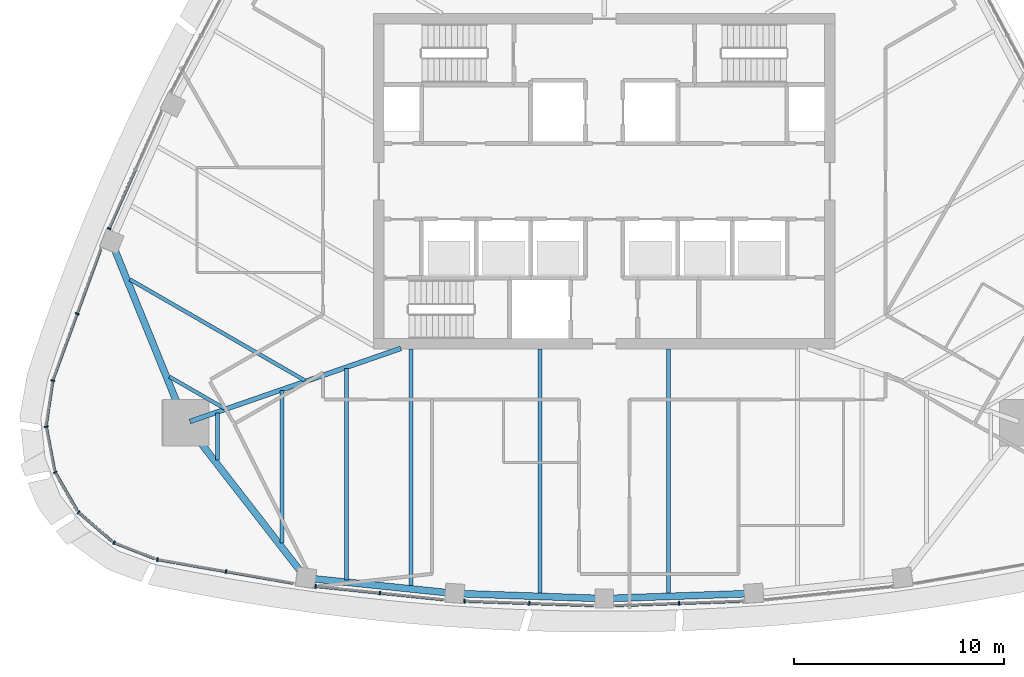
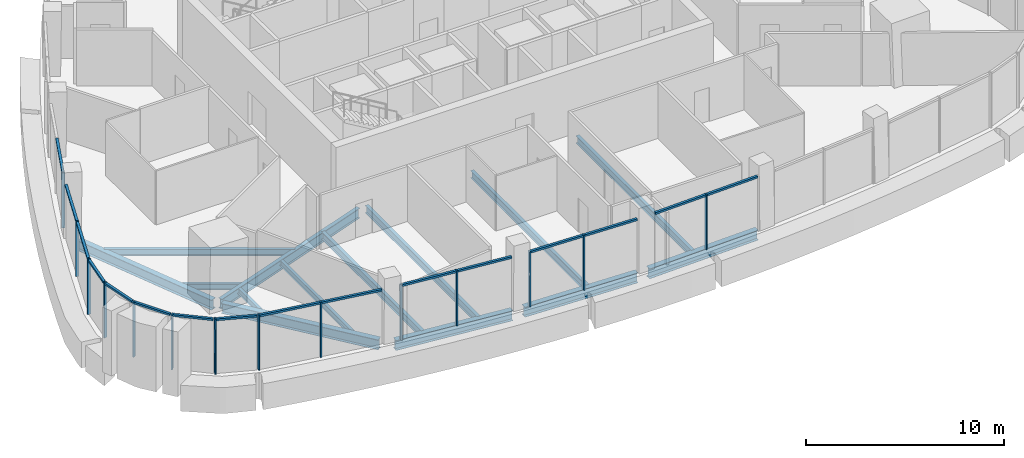
# One storey, part 2 of 15: 30 members, 14 beams, 11 elements without a shape of their own.
"""IFC4 building model written with IfcOpenShell, lengths in metres."""

from ifc_helpers import new_model, si_unit, direction, frame, origin, origin_2d, place, context, subcontext, project, spatial, rectangle, i_section, extrude, material, layer, layer_set, material_profile, profile_set, type_object, element, aggregate, save


model = new_model("IFC4")

# Units and contexts
model_context = context("Model", 3, precision=1e-05, world=origin(), true_north=direction((0.0, 1.0)))
body_context = subcontext(model_context, "Body", "Model", "MODEL_VIEW")
ifc_project = project(units=[si_unit("LENGTHUNIT", "METRE"), si_unit("AREAUNIT", "SQUARE_METRE"), si_unit("VOLUMEUNIT", "CUBIC_METRE"), si_unit("PLANEANGLEUNIT", "RADIAN"), si_unit("MASSUNIT", "GRAM", prefix="KILO")], contexts=[model_context])

# Site, building, storey
site_placement = place(None, origin())
site = spatial("IfcSite", under=ifc_project, at=site_placement, CompositionType="ELEMENT")
building_placement = place(site_placement, origin())
building = spatial("IfcBuilding", under=site, at=building_placement, Name="Sierra Prisma Convention Tower", CompositionType="ELEMENT")
storey_placement = place(building_placement, frame((0.0, 0.0, 315.0)))
storey = spatial("IfcBuildingStorey", under=building, at=storey_placement, Name="L72", CompositionType="ELEMENT", Elevation=315.0)

# Curtain wall, members
ifc_material_1 = material(Name="Aluminium and glass curtain wall", Category="aluminium")
ifc_layer = layer(ifc_material_1, 0.179931640625)
ifc_layer_set = layer_set([ifc_layer], Name="CW-1 Plain shaft curtain wall")
curtain_wall_type = type_object("IfcCurtainWallType", Name="CW-1 Plain shaft curtain wall", PredefinedType="NOTDEFINED", material=ifc_layer_set)
curtain_wall_1_placement = place(storey_placement, origin())
curtain_wall_1 = element("IfcCurtainWall", 1, at=curtain_wall_1_placement, inside=storey, type_object=curtain_wall_type, Name="CW-1 S1 L72", PredefinedType="NOTDEFINED")
ifc_material_2 = material(Name="Aluminium 6063-T6 bronze anodised", Category="aluminium")
ifc_material_profile_1 = material_profile(ifc_material_2, rectangle(XDim=0.179931640625, YDim=0.070068359375, at=origin_2d()), Name="ALU MULLION 70x180")
ifc_profile_set_1 = profile_set([ifc_material_profile_1], Name="Aluminium 6063-T6 bronze anodised")
member_type_1 = type_object("IfcMemberType", Name="CW mullion bronze", PredefinedType="MULLION", material=ifc_profile_set_1)
member_1_placement = place(storey_placement, frame((-21.287353515625, -18.021728515625, 0.0), z_axis=(0.0, 0.0, 1.0), x_axis=(0.171831732349, 0.985126314621, 0.0)))
member_1 = element("IfcMember", 2, at=member_1_placement, type_object=member_type_1, Name="CW-1 mullion S1.1", PredefinedType="MULLION", context=body_context, shape_type="SweptSolid", body=[
    extrude(rectangle(XDim=0.179931640625, YDim=0.070068359375, at=origin_2d()), origin(), (0.0, 0.0, 1.0), 3.39990234375),
])
member_2_placement = place(storey_placement, frame((-18.018310546875, -18.592041015625, 0.0), z_axis=(0.0, 0.0, 1.0), x_axis=(0.171831732349, 0.985126314621, 0.0)))
member_2 = element("IfcMember", 3, at=member_2_placement, type_object=member_type_1, Name="CW-1 mullion S1.2", PredefinedType="MULLION", context=body_context, shape_type="SweptSolid", body=[
    extrude(rectangle(XDim=0.179931640625, YDim=0.070068359375, at=origin_2d()), origin(), (0.0, 0.0, 1.0), 3.39990234375),
])

curtain_wall_2_placement = place(storey_placement, origin())
curtain_wall_2 = element("IfcCurtainWall", 4, at=curtain_wall_2_placement, inside=storey, type_object=curtain_wall_type, Name="CW-1 S2 L72", PredefinedType="NOTDEFINED")
member_3_placement = place(storey_placement, frame((-13.74560546875, -19.300048828125, 0.0), z_axis=(0.0, 0.0, 1.0), x_axis=(0.103427960158, 0.994636947362, 0.0)))
member_3 = element("IfcMember", 5, at=member_3_placement, type_object=member_type_1, Name="CW-1 mullion S2.1", PredefinedType="MULLION", context=body_context, shape_type="SweptSolid", body=[
    extrude(rectangle(XDim=0.179931640625, YDim=0.070068359375, at=origin_2d()), origin(), (0.0, 0.0, 1.0), 3.39990234375),
])
member_4_placement = place(storey_placement, frame((-10.6904296875, -19.617919921875, 0.0), z_axis=(0.0, 0.0, 1.0), x_axis=(0.103427960158, 0.994636947362, 0.0)))
member_4 = element("IfcMember", 6, at=member_4_placement, type_object=member_type_1, Name="CW-1 mullion S2.2", PredefinedType="MULLION", context=body_context, shape_type="SweptSolid", body=[
    extrude(rectangle(XDim=0.179931640625, YDim=0.070068359375, at=origin_2d()), origin(), (0.0, 0.0, 1.0), 3.39990234375),
])

curtain_wall_3_placement = place(storey_placement, origin())
curtain_wall_3 = element("IfcCurtainWall", 7, at=curtain_wall_3_placement, inside=storey, type_object=curtain_wall_type, Name="CW-1 S3 L72", PredefinedType="NOTDEFINED")
member_5_placement = place(storey_placement, frame((-6.656005859375, -20.0029296875, 0.0), z_axis=(0.0, 0.0, 1.0), x_axis=(0.034530885396, 0.999403631149, 0.0)))
member_5 = element("IfcMember", 8, at=member_5_placement, type_object=member_type_1, Name="CW-1 mullion S3.1", PredefinedType="MULLION", context=body_context, shape_type="SweptSolid", body=[
    extrude(rectangle(XDim=0.179931640625, YDim=0.070068359375, at=origin_2d()), origin(), (0.0, 0.0, 1.0), 3.39990234375),
])
member_6_placement = place(storey_placement, frame((-3.5703125, -20.109375, 0.0), z_axis=(0.0, 0.0, 1.0), x_axis=(0.034530885396, 0.999403631149, 0.0)))
member_6 = element("IfcMember", 9, at=member_6_placement, type_object=member_type_1, Name="CW-1 mullion S3.2", PredefinedType="MULLION", context=body_context, shape_type="SweptSolid", body=[
    extrude(rectangle(XDim=0.179931640625, YDim=0.070068359375, at=origin_2d()), origin(), (0.0, 0.0, 1.0), 3.39990234375),
])

# Curtain wall, member
curtain_wall_4_placement = place(storey_placement, origin())
curtain_wall_4 = element("IfcCurtainWall", 10, at=curtain_wall_4_placement, inside=storey, type_object=curtain_wall_type, Name="CW-1 S4 L72", PredefinedType="NOTDEFINED")
member_7_placement = place(storey_placement, frame((3.5703125, -20.109375, 0.0), z_axis=(0.0, 0.0, 1.0), x_axis=(-0.034530885396, 0.999403631149, 0.0)))
member_7 = element("IfcMember", 11, at=member_7_placement, type_object=member_type_1, Name="CW-1 mullion S4.2", PredefinedType="MULLION", context=body_context, shape_type="SweptSolid", body=[
    extrude(rectangle(XDim=0.179931640625, YDim=0.070068359375, at=origin_2d()), origin(), (0.0, 0.0, 1.0), 3.39990234375),
])

curtain_wall_5_placement = place(storey_placement, origin())
curtain_wall_5 = element("IfcCurtainWall", 12, at=curtain_wall_5_placement, inside=storey, type_object=curtain_wall_type, Name="CW-1 NW5 L72", PredefinedType="NOTDEFINED")
member_8_placement = place(storey_placement, frame((-23.587158203125, -2.25390625, 0.0), z_axis=(0.0, 0.0, 1.0), x_axis=(0.913094844037, -0.407747232722, 0.0)))
member_8 = element("IfcMember", 13, at=member_8_placement, type_object=member_type_1, Name="CW-1 mullion NW5.3", PredefinedType="MULLION", context=body_context, shape_type="SweptSolid", body=[
    extrude(rectangle(XDim=0.179931640625, YDim=0.070068359375, at=origin_2d()), origin(), (0.0, 0.0, 1.0), 3.39990234375),
])

curtain_wall_6_placement = place(storey_placement, origin())
curtain_wall_6 = element("IfcCurtainWall", 14, at=curtain_wall_6_placement, inside=storey, type_object=curtain_wall_type, Name="CW-1 NW6 L72", PredefinedType="NOTDEFINED")
member_9_placement = place(storey_placement, frame((-25.110107421875, -6.308349609375, 0.0), z_axis=(0.0, 0.0, 1.0), x_axis=(0.939060280572, -0.34375251192, 0.0)))
member_9 = element("IfcMember", 15, at=member_9_placement, type_object=member_type_1, Name="CW-1 mullion NW6.2", PredefinedType="MULLION", context=body_context, shape_type="SweptSolid", body=[
    extrude(rectangle(XDim=0.179931640625, YDim=0.070068359375, at=origin_2d()), origin(), (0.0, 0.0, 1.0), 3.39990234375),
])

curtain_wall_7_placement = place(storey_placement, origin())
curtain_wall_7 = element("IfcCurtainWall", 16, at=curtain_wall_7_placement, inside=storey, type_object=curtain_wall_type, Name="CW-1 SW1 L72", PredefinedType="NOTDEFINED")
member_10_placement = place(storey_placement, frame((-26.26806640625, -9.491943359375, 0.0), z_axis=(0.0, 0.0, 1.0), x_axis=(0.989012157152, -0.147834207831, 0.0)))
member_10 = element("IfcMember", 17, at=member_10_placement, type_object=member_type_1, Name="CW-1 mullion SW1.1", PredefinedType="MULLION", context=body_context, shape_type="SweptSolid", body=[
    extrude(rectangle(XDim=0.179931640625, YDim=0.070068359375, at=origin_2d()), origin(), (0.0, 0.0, 1.0), 3.39990234375),
])

curtain_wall_8_placement = place(storey_placement, origin())
curtain_wall_8 = element("IfcCurtainWall", 18, at=curtain_wall_8_placement, inside=storey, type_object=curtain_wall_type, Name="CW-1 SW2 L72", PredefinedType="NOTDEFINED")
member_11_placement = place(storey_placement, frame((-26.58447265625, -11.6865234375, 0.0), z_axis=(0.0, 0.0, 1.0), x_axis=(0.982452735927, 0.186511719925, 0.0)))
member_11 = element("IfcMember", 19, at=member_11_placement, type_object=member_type_1, Name="CW-1 mullion SW2.1", PredefinedType="MULLION", context=body_context, shape_type="SweptSolid", body=[
    extrude(rectangle(XDim=0.179931640625, YDim=0.070068359375, at=origin_2d()), origin(), (0.0, 0.0, 1.0), 3.39990234375),
])

curtain_wall_9_placement = place(storey_placement, origin())
curtain_wall_9 = element("IfcCurtainWall", 20, at=curtain_wall_9_placement, inside=storey, type_object=curtain_wall_type, Name="CW-1 SW3 L72", PredefinedType="NOTDEFINED")
member_12_placement = place(storey_placement, frame((-26.15966796875, -13.862548828125, 0.0), z_axis=(0.0, 0.0, 1.0), x_axis=(0.866025403784, 0.5, 0.0)))
member_12 = element("IfcMember", 21, at=member_12_placement, type_object=member_type_1, Name="CW-1 mullion SW3.1", PredefinedType="MULLION", context=body_context, shape_type="SweptSolid", body=[
    extrude(rectangle(XDim=0.179931640625, YDim=0.070068359375, at=origin_2d()), origin(), (0.0, 0.0, 1.0), 3.39990234375),
])

curtain_wall_10_placement = place(storey_placement, origin())
curtain_wall_10 = element("IfcCurtainWall", 22, at=curtain_wall_10_placement, inside=storey, type_object=curtain_wall_type, Name="CW-1 SW4 L72", PredefinedType="NOTDEFINED")
member_13_placement = place(storey_placement, frame((-25.041015625, -15.77685546875, 0.0), z_axis=(0.0, 0.0, 1.0), x_axis=(0.652750255522, 0.757573167368, 0.0)))
member_13 = element("IfcMember", 23, at=member_13_placement, type_object=member_type_1, Name="CW-1 mullion SW4.1", PredefinedType="MULLION", context=body_context, shape_type="SweptSolid", body=[
    extrude(rectangle(XDim=0.179931640625, YDim=0.070068359375, at=origin_2d()), origin(), (0.0, 0.0, 1.0), 3.39990234375),
])

curtain_wall_11_placement = place(storey_placement, origin())
curtain_wall_11 = element("IfcCurtainWall", 24, at=curtain_wall_11_placement, inside=storey, type_object=curtain_wall_type, Name="CW-1 SW5 L72", PredefinedType="NOTDEFINED")
member_14_placement = place(storey_placement, frame((-23.35400390625, -17.21533203125, 0.0), z_axis=(0.0, 0.0, 1.0), x_axis=(0.366477899046, 0.930426756661, 0.0)))
member_14 = element("IfcMember", 25, at=member_14_placement, type_object=member_type_1, Name="CW-1 mullion SW5.1", PredefinedType="MULLION", context=body_context, shape_type="SweptSolid", body=[
    extrude(rectangle(XDim=0.179931640625, YDim=0.070068359375, at=origin_2d()), origin(), (0.0, 0.0, 1.0), 3.39990234375),
])

# Member
ifc_material_3 = material(Name="Aluminium 6063-T6 bronze anodised", Category="aluminium")
ifc_material_profile_2 = material_profile(ifc_material_3, rectangle(XDim=0.139892578125, YDim=0.1201171875, at=origin_2d()), Name="ALU TRANSOM 120x140")
ifc_profile_set_2 = profile_set([ifc_material_profile_2], Name="Aluminium 6063-T6 bronze anodised")
member_type_2 = type_object("IfcMemberType", Name="CW transom bronze", PredefinedType="USERDEFINED", material=ifc_profile_set_2)
member_15_placement = place(storey_placement, frame((-21.2529296875, -18.02783203125, 3.340087890625), z_axis=(0.985131112983, -0.17180422065, 0.0), x_axis=(0.17180422065, 0.985131112983, 0.0)))
member_15 = element("IfcMember", 26, at=member_15_placement, type_object=member_type_2, Name="CW-1 transom S1.1", ObjectType="TRANSOM", PredefinedType="USERDEFINED", context=body_context, shape_type="SweptSolid", body=[
    extrude(rectangle(XDim=0.139892578125, YDim=0.1201171875, at=origin_2d()), origin(), (0.0, 0.0, 1.0), 3.24853515625),
])

member_16_placement = place(storey_placement, frame((-17.98388671875, -18.597900390625, 3.340087890625), z_axis=(0.985118390495, -0.171877155864, 0.0), x_axis=(0.171877155864, 0.985118390495, 0.0)))
member_16 = element("IfcMember", 27, at=member_16_placement, type_object=member_type_2, Name="CW-1 transom S1.2", ObjectType="TRANSOM", PredefinedType="USERDEFINED", context=body_context, shape_type="SweptSolid", body=[
    extrude(rectangle(XDim=0.139892578125, YDim=0.1201171875, at=origin_2d()), origin(), (0.0, 0.0, 1.0), 3.24853515625),
])

aggregate(curtain_wall_1, [member_1, member_2, member_15, member_16])

member_17_placement = place(storey_placement, frame((-13.710693359375, -19.3037109375, 3.340087890625), z_axis=(0.994633938126, -0.103456895028, 0.0), x_axis=(0.103456895028, 0.994633938126, 0.0)))
member_17 = element("IfcMember", 28, at=member_17_placement, type_object=member_type_2, Name="CW-1 transom S2.1", ObjectType="TRANSOM", PredefinedType="USERDEFINED", context=body_context, shape_type="SweptSolid", body=[
    extrude(rectangle(XDim=0.139892578125, YDim=0.1201171875, at=origin_2d()), origin(), (0.0, 0.0, 1.0), 3.001708984375),
])

member_18_placement = place(storey_placement, frame((-10.655517578125, -19.62158203125, 3.340087890625), z_axis=(0.994642304355, -0.103376430521, 0.0), x_axis=(0.103376430521, 0.994642304355, 0.0)))
member_18 = element("IfcMember", 29, at=member_18_placement, type_object=member_type_2, Name="CW-1 transom S2.2", ObjectType="TRANSOM", PredefinedType="USERDEFINED", context=body_context, shape_type="SweptSolid", body=[
    extrude(rectangle(XDim=0.139892578125, YDim=0.1201171875, at=origin_2d()), origin(), (0.0, 0.0, 1.0), 3.001708984375),
])

aggregate(curtain_wall_2, [member_3, member_4, member_17, member_18])

member_19_placement = place(storey_placement, frame((-6.62109375, -20.004150390625, 3.340087890625), z_axis=(0.99940301674, -0.034548663224, 0.0), x_axis=(0.034548663224, 0.99940301674, 0.0)))
member_19 = element("IfcMember", 30, at=member_19_placement, type_object=member_type_2, Name="CW-1 transom S3.1", ObjectType="TRANSOM", PredefinedType="USERDEFINED", context=body_context, shape_type="SweptSolid", body=[
    extrude(rectangle(XDim=0.139892578125, YDim=0.1201171875, at=origin_2d()), origin(), (0.0, 0.0, 1.0), 3.017333984375),
])

member_20_placement = place(storey_placement, frame((-3.535400390625, -20.110595703125, 3.340087890625), z_axis=(0.99940301674, -0.034548663224, 0.0), x_axis=(0.034548663224, 0.99940301674, 0.0)))
member_20 = element("IfcMember", 31, at=member_20_placement, type_object=member_type_2, Name="CW-1 transom S3.2", ObjectType="TRANSOM", PredefinedType="USERDEFINED", context=body_context, shape_type="SweptSolid", body=[
    extrude(rectangle(XDim=0.139892578125, YDim=0.1201171875, at=origin_2d()), origin(), (0.0, 0.0, 1.0), 3.017333984375),
])

aggregate(curtain_wall_3, [member_5, member_6, member_19, member_20])

member_21_placement = place(storey_placement, frame((0.519775390625, -20.21484375, 3.340087890625), z_axis=(0.99940301674, 0.034548663224, 0.0), x_axis=(-0.034548663224, 0.99940301674, 0.0)))
member_21 = element("IfcMember", 32, at=member_21_placement, type_object=member_type_2, Name="CW-1 transom S4.1", ObjectType="TRANSOM", PredefinedType="USERDEFINED", context=body_context, shape_type="SweptSolid", body=[
    extrude(rectangle(XDim=0.139892578125, YDim=0.1201171875, at=origin_2d()), origin(), (0.0, 0.0, 1.0), 3.017333984375),
])

member_22_placement = place(storey_placement, frame((3.60546875, -20.1083984375, 3.340087890625), z_axis=(0.99940301674, 0.034548663224, 0.0), x_axis=(-0.034548663224, 0.99940301674, 0.0)))
member_22 = element("IfcMember", 33, at=member_22_placement, type_object=member_type_2, Name="CW-1 transom S4.2", ObjectType="TRANSOM", PredefinedType="USERDEFINED", context=body_context, shape_type="SweptSolid", body=[
    extrude(rectangle(XDim=0.139892578125, YDim=0.1201171875, at=origin_2d()), origin(), (0.0, 0.0, 1.0), 3.017333984375),
])

aggregate(curtain_wall_4, [member_7, member_21, member_22])

member_23_placement = place(storey_placement, frame((-22.34912109375, 0.518798828125, 3.340087890625), z_axis=(-0.407745303112, -0.913095705712, 0.0), x_axis=(0.913095705712, -0.407745303112, 0.0)))
member_23 = element("IfcMember", 34, at=member_23_placement, type_object=member_type_2, Name="CW-1 transom NW5.2", ObjectType="TRANSOM", PredefinedType="USERDEFINED", context=body_context, shape_type="SweptSolid", body=[
    extrude(rectangle(XDim=0.139892578125, YDim=0.1201171875, at=origin_2d()), origin(), (0.0, 0.0, 1.0), 3.00146484375),
])

aggregate(curtain_wall_5, [member_8, member_23])

member_24_placement = place(storey_placement, frame((-23.9814453125, -3.224853515625, 3.340087890625), z_axis=(-0.343757740584, -0.93905836655, 0.0), x_axis=(0.93905836655, -0.343757740584, 0.0)))
member_24 = element("IfcMember", 35, at=member_24_placement, type_object=member_type_2, Name="CW-1 transom NW6.1", ObjectType="TRANSOM", PredefinedType="USERDEFINED", context=body_context, shape_type="SweptSolid", body=[
    extrude(rectangle(XDim=0.139892578125, YDim=0.1201171875, at=origin_2d()), origin(), (0.0, 0.0, 1.0), 3.24853515625),
])

member_25_placement = place(storey_placement, frame((-25.122314453125, -6.341064453125, 3.340087890625), z_axis=(-0.343757740584, -0.93905836655, 0.0), x_axis=(0.93905836655, -0.343757740584, 0.0)))
member_25 = element("IfcMember", 36, at=member_25_placement, type_object=member_type_2, Name="CW-1 transom NW6.2", ObjectType="TRANSOM", PredefinedType="USERDEFINED", context=body_context, shape_type="SweptSolid", body=[
    extrude(rectangle(XDim=0.139892578125, YDim=0.1201171875, at=origin_2d()), origin(), (0.0, 0.0, 1.0), 3.24853515625),
])

aggregate(curtain_wall_6, [member_9, member_24, member_25])

member_26_placement = place(storey_placement, frame((-26.2734375, -9.526611328125, 3.340087890625), z_axis=(-0.14773172151, -0.989027471034, 0.0), x_axis=(0.989027471034, -0.14773172151, 0.0)))
member_26 = element("IfcMember", 37, at=member_26_placement, type_object=member_type_2, Name="CW-1 transom SW1.1", ObjectType="TRANSOM", PredefinedType="USERDEFINED", context=body_context, shape_type="SweptSolid", body=[
    extrude(rectangle(XDim=0.139892578125, YDim=0.1201171875, at=origin_2d()), origin(), (0.0, 0.0, 1.0), 2.078857421875),
])

aggregate(curtain_wall_7, [member_10, member_26])

member_27_placement = place(storey_placement, frame((-26.577880859375, -11.720947265625, 3.340087890625), z_axis=(0.186486094826, -0.982457600325, 0.0), x_axis=(0.982457600325, 0.186486094826, 0.0)))
member_27 = element("IfcMember", 38, at=member_27_placement, type_object=member_type_2, Name="CW-1 transom SW2.1", ObjectType="TRANSOM", PredefinedType="USERDEFINED", context=body_context, shape_type="SweptSolid", body=[
    extrude(rectangle(XDim=0.139892578125, YDim=0.1201171875, at=origin_2d()), origin(), (0.0, 0.0, 1.0), 2.078857421875),
])

aggregate(curtain_wall_8, [member_11, member_27])

member_28_placement = place(storey_placement, frame((-26.14208984375, -13.892822265625, 3.340087890625), z_axis=(0.500003678222, -0.866023280152, 0.0), x_axis=(0.866023280152, 0.500003678222, 0.0)))
member_28 = element("IfcMember", 39, at=member_28_placement, type_object=member_type_2, Name="CW-1 transom SW3.1", ObjectType="TRANSOM", PredefinedType="USERDEFINED", context=body_context, shape_type="SweptSolid", body=[
    extrude(rectangle(XDim=0.139892578125, YDim=0.1201171875, at=origin_2d()), origin(), (0.0, 0.0, 1.0), 2.0791015625),
])

aggregate(curtain_wall_9, [member_12, member_28])

member_29_placement = place(storey_placement, frame((-25.0146484375, -15.799560546875, 3.340087890625), z_axis=(0.757588144532, -0.652732872823, 0.0), x_axis=(0.652732872823, 0.757588144532, 0.0)))
member_29 = element("IfcMember", 40, at=member_29_placement, type_object=member_type_2, Name="CW-1 transom SW4.1", ObjectType="TRANSOM", PredefinedType="USERDEFINED", context=body_context, shape_type="SweptSolid", body=[
    extrude(rectangle(XDim=0.139892578125, YDim=0.1201171875, at=origin_2d()), origin(), (0.0, 0.0, 1.0), 2.079345703125),
])

aggregate(curtain_wall_10, [member_13, member_29])

member_30_placement = place(storey_placement, frame((-23.3212890625, -17.22802734375, 3.340087890625), z_axis=(0.930415673806, -0.366506035334, 0.0), x_axis=(0.366506035334, 0.930415673806, 0.0)))
member_30 = element("IfcMember", 41, at=member_30_placement, type_object=member_type_2, Name="CW-1 transom SW5.1", ObjectType="TRANSOM", PredefinedType="USERDEFINED", context=body_context, shape_type="SweptSolid", body=[
    extrude(rectangle(XDim=0.139892578125, YDim=0.1201171875, at=origin_2d()), origin(), (0.0, 0.0, 1.0), 2.0791015625),
])

aggregate(curtain_wall_11, [member_14, member_30])

# Beams
ifc_material_4 = material(Name="Steel ASTM A992 Gr 50", Category="steel")
ifc_material_profile_3 = material_profile(ifc_material_4, i_section(OverallWidth=0.172119140625, OverallDepth=0.35791015625, WebThickness=0.0078125, FlangeThickness=0.01318359375, at=origin_2d()), Name="W360x57")
ifc_profile_set_3 = profile_set([ifc_material_profile_3], Name="Steel ASTM A992 Gr 50")
beam_type_1 = type_object("IfcBeamType", Name="Floor joist W360x57", PredefinedType="JOIST", material=ifc_profile_set_3)
beam_1_placement = place(storey_placement, frame((-18.42138671875, -13.2822265625, -0.3291015625), z_axis=(0.0, 1.0, 0.0), x_axis=(-1.0, 0.0, 0.0)))
element("IfcBeam", 42, at=beam_1_placement, inside=storey, type_object=beam_type_1, Name="Floor joist L72 S01", PredefinedType="JOIST", context=body_context, shape_type="SweptSolid", body=[
    extrude(i_section(OverallWidth=0.172119140625, OverallDepth=0.35791015625, WebThickness=0.0078125, FlangeThickness=0.01318359375, at=origin_2d()), origin(), (0.0, 0.0, 1.0), 2.243896484375),
])
beam_2_placement = place(storey_placement, frame((-15.351318359375, -17.232421875, -0.3291015625), z_axis=(0.0, 1.0, 0.0), x_axis=(-1.0, 0.0, 0.0)))
element("IfcBeam", 43, at=beam_2_placement, inside=storey, type_object=beam_type_1, Name="Floor joist L72 S02", PredefinedType="JOIST", context=body_context, shape_type="SweptSolid", body=[
    extrude(i_section(OverallWidth=0.172119140625, OverallDepth=0.35791015625, WebThickness=0.0078125, FlangeThickness=0.01318359375, at=origin_2d()), origin(), (0.0, 0.0, 1.0), 7.2587890625),
])
beam_3_placement = place(storey_placement, frame((-20.713623046875, -9.312255859375, -0.3291015625), z_axis=(0.866021793822, -0.500006252586, 0.0), x_axis=(0.500006252586, 0.866021793822, 0.0)))
element("IfcBeam", 44, at=beam_3_placement, inside=storey, type_object=beam_type_1, Name="Floor joist L72 NW13", PredefinedType="JOIST", context=body_context, shape_type="SweptSolid", body=[
    extrude(i_section(OverallWidth=0.172119140625, OverallDepth=0.35791015625, WebThickness=0.0078125, FlangeThickness=0.01318359375, at=origin_2d()), origin(), (0.0, 0.0, 1.0), 3.0283203125),
])
ifc_material_5 = material(Name="Steel ASTM A992 Gr 50", Category="steel")
ifc_material_profile_4 = material_profile(ifc_material_5, i_section(OverallWidth=0.177978515625, OverallDepth=0.406982421875, WebThickness=0.0078125, FlangeThickness=0.0126953125, at=origin_2d()), Name="W410x60")
ifc_profile_set_4 = profile_set([ifc_material_profile_4], Name="Steel ASTM A992 Gr 50")
beam_type_2 = type_object("IfcBeamType", Name="Floor joist W410x60", PredefinedType="JOIST", material=ifc_profile_set_4)
beam_4_placement = place(storey_placement, frame((-22.599365234375, -4.67822265625, -0.353515625), z_axis=(0.866017228228, -0.500014160211, 0.0), x_axis=(0.500014160211, 0.866017228228, 0.0)))
element("IfcBeam", 45, at=beam_4_placement, inside=storey, type_object=beam_type_2, Name="Floor joist L72 NW12", PredefinedType="JOIST", context=body_context, shape_type="SweptSolid", body=[
    extrude(i_section(OverallWidth=0.177978515625, OverallDepth=0.406982421875, WebThickness=0.0078125, FlangeThickness=0.0126953125, at=origin_2d()), origin(), (0.0, 0.0, 1.0), 9.635498046875),
])
ifc_material_6 = material(Name="Steel ASTM A992 Gr 50", Category="steel")
ifc_material_profile_5 = material_profile(ifc_material_6, i_section(OverallWidth=0.18994140625, OverallDepth=0.45703125, WebThickness=0.009033203125, FlangeThickness=0.014404296875, at=origin_2d()), Name="W460x74")
ifc_profile_set_5 = profile_set([ifc_material_profile_5], Name="Steel ASTM A992 Gr 50")
beam_type_3 = type_object("IfcBeamType", Name="Floor joist W460x74", PredefinedType="JOIST", material=ifc_profile_set_5)
beam_5_placement = place(storey_placement, frame((-12.281005859375, -18.9873046875, -0.37841796875), z_axis=(0.0, 1.0, 0.0), x_axis=(-1.0, 0.0, 0.0)))
element("IfcBeam", 46, at=beam_5_placement, inside=storey, type_object=beam_type_3, Name="Floor joist L72 S03", PredefinedType="JOIST", context=body_context, shape_type="SweptSolid", body=[
    extrude(i_section(OverallWidth=0.18994140625, OverallDepth=0.45703125, WebThickness=0.009033203125, FlangeThickness=0.014404296875, at=origin_2d()), origin(), (0.0, 0.0, 1.0), 10.078369140625),
])
beam_6_placement = place(storey_placement, frame((-9.210693359375, -19.306640625, -0.37841796875), z_axis=(0.0, 1.0, 0.0), x_axis=(-1.0, 0.0, 0.0)))
element("IfcBeam", 47, at=beam_6_placement, inside=storey, type_object=beam_type_3, Name="Floor joist L72 S04", PredefinedType="JOIST", context=body_context, shape_type="SweptSolid", body=[
    extrude(i_section(OverallWidth=0.18994140625, OverallDepth=0.45703125, WebThickness=0.009033203125, FlangeThickness=0.014404296875, at=origin_2d()), origin(), (0.0, 0.0, 1.0), 11.306640625),
])
for number, where, z_axis, x_axis, name in (
    (48, (-3.0703125, -19.664306640625, -0.37841796875), (0.0, 1.0, 0.0), (-1.0, 0.0, 0.0), "Floor joist L72 S06"),
    (49, (3.0703125, -19.664306640625, -0.37841796875), (0.0, 1.0, 0.0), (-1.0, 0.0, 0.0), "Floor joist L72 S08"),
):
    element("IfcBeam", number, at=place(storey_placement, frame(where, z_axis=z_axis, x_axis=x_axis)), inside=storey, type_object=beam_type_3, Name=name, PredefinedType="JOIST", context=body_context, shape_type="SweptSolid", body=[
        extrude(i_section(OverallWidth=0.18994140625, OverallDepth=0.45703125, WebThickness=0.009033203125, FlangeThickness=0.014404296875, at=origin_2d()), origin(), (0.0, 0.0, 1.0), 11.664306640625),
    ])
ifc_material_7 = material(Name="Steel ASTM A992 Gr 50", Category="steel")
ifc_material_profile_6 = material_profile(ifc_material_7, i_section(OverallWidth=0.22998046875, OverallDepth=0.616943359375, WebThickness=0.01318359375, FlangeThickness=0.022216796875, at=origin_2d()), Name="W610x140")
ifc_profile_set_6 = profile_set([ifc_material_profile_6], Name="Steel ASTM A992 Gr 50")
beam_type_4 = type_object("IfcBeamType", Name="Radial girder W610x140", PredefinedType="BEAM", material=ifc_profile_set_6)
beam_7_placement = place(storey_placement, frame((-19.736572265625, -11.445556640625, -0.45849609375), z_axis=(0.944811572073, 0.32761424462, 0.0), x_axis=(-0.32761424462, 0.944811572073, 0.0)))
element("IfcBeam", 50, at=beam_7_placement, inside=storey, type_object=beam_type_4, Name="Radial girder L72 SW", PredefinedType="BEAM", context=body_context, shape_type="SweptSolid", body=[
    extrude(i_section(OverallWidth=0.22998046875, OverallDepth=0.616943359375, WebThickness=0.01318359375, FlangeThickness=0.022216796875, at=origin_2d()), origin(), (0.0, 0.0, 1.0), 10.63720703125),
])
ifc_material_8 = material(Name="Steel ASTM A992 Gr 50", Category="steel")
ifc_material_profile_7 = material_profile(ifc_material_8, i_section(OverallWidth=0.324951171875, OverallDepth=0.615966796875, WebThickness=0.013916015625, FlangeThickness=0.021484375, at=origin_2d()), Name="W610x174")
ifc_profile_set_7 = profile_set([ifc_material_profile_7], Name="Steel ASTM A992 Gr 50")
beam_type_5 = type_object("IfcBeamType", Name="Spandrel beam W610x174", PredefinedType="BEAM", material=ifc_profile_set_7)
beam_8_placement = place(storey_placement, frame((-19.78564453125, -11.741943359375, -0.4580078125), z_axis=(0.613662048039, -0.789568800546, 0.0), x_axis=(0.789568800546, 0.613662048039, 0.0)))
element("IfcBeam", 51, at=beam_8_placement, inside=storey, type_object=beam_type_5, Name="Spandrel L72-01", PredefinedType="BEAM", context=body_context, shape_type="SweptSolid", body=[
    extrude(i_section(OverallWidth=0.324951171875, OverallDepth=0.615966796875, WebThickness=0.013916015625, FlangeThickness=0.021484375, at=origin_2d()), origin(), (0.0, 0.0, 1.0), 8.556396484375),
])
beam_9_placement = place(storey_placement, frame((-13.89453125, -18.932861328125, -0.4580078125), z_axis=(0.994632652231, -0.103469256867, 0.0), x_axis=(0.103469256867, 0.994632652231, 0.0)))
element("IfcBeam", 52, at=beam_9_placement, inside=storey, type_object=beam_type_5, Name="Spandrel L72-02", PredefinedType="BEAM", context=body_context, shape_type="SweptSolid", body=[
    extrude(i_section(OverallWidth=0.324951171875, OverallDepth=0.615966796875, WebThickness=0.013916015625, FlangeThickness=0.021484375, at=origin_2d()), origin(), (0.0, 0.0, 1.0), 6.47216796875),
])
for number, where, z_axis, x_axis, name in (
    (53, (-6.798583984375, -19.64794921875, -0.4580078125), (0.999402904229, -0.034551917731, 0.0), (0.034551917731, 0.999402904229, 0.0), "Spandrel L72-03"),
    (54, (0.330078125, -19.87158203125, -0.4580078125), (0.999402904229, 0.034551917731, 0.0), (-0.034551917731, 0.999402904229, 0.0), "Spandrel L72-04"),
):
    element("IfcBeam", number, at=place(storey_placement, frame(where, z_axis=z_axis, x_axis=x_axis)), inside=storey, type_object=beam_type_5, Name=name, PredefinedType="BEAM", context=body_context, shape_type="SweptSolid", body=[
        extrude(i_section(OverallWidth=0.324951171875, OverallDepth=0.615966796875, WebThickness=0.013916015625, FlangeThickness=0.021484375, at=origin_2d()), origin(), (0.0, 0.0, 1.0), 6.472412109375),
    ])
beam_10_placement = place(storey_placement, frame((-23.286865234375, -3.338623046875, -0.4580078125), z_axis=(0.376936055216, -0.926239283489, 0.0), x_axis=(0.926239283489, 0.376936055216, 0.0)))
element("IfcBeam", 55, at=beam_10_placement, inside=storey, type_object=beam_type_5, Name="Spandrel L72-18", PredefinedType="BEAM", context=body_context, shape_type="SweptSolid", body=[
    extrude(i_section(OverallWidth=0.324951171875, OverallDepth=0.615966796875, WebThickness=0.013916015625, FlangeThickness=0.021484375, at=origin_2d()), origin(), (0.0, 0.0, 1.0), 8.59765625),
])

save(model, "model.ifc")
